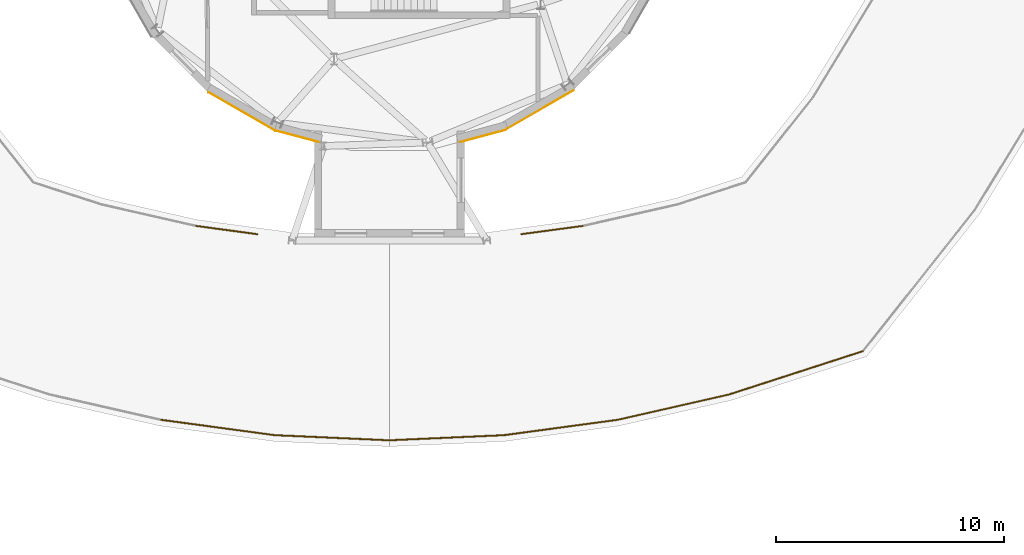
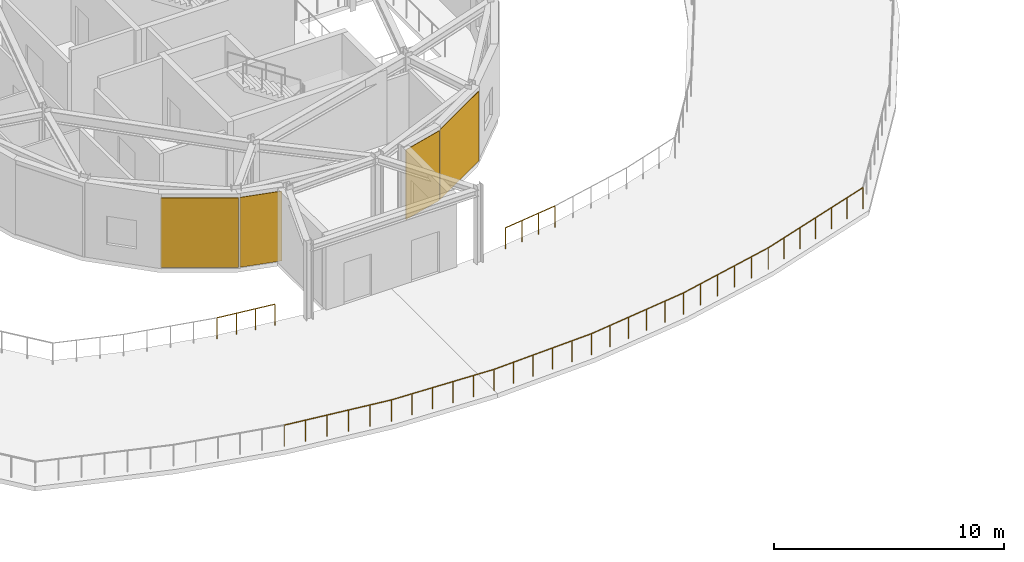
# One storey, part 48 of 59: 8 railings, 4 coverings.
"""IFC4 building model written with IfcOpenShell, lengths in metres."""

import ifcopenshell
import ifcopenshell.guid

model = None  # the IFC model being written
_history = None  # IfcOwnerHistory: only IFC2X3 demands one
_inside = {}  # id of a spatial element -> (the spatial element, [elements in it])
_under = {}  # id of a project, library or spatial element -> (it, [spatial elements below it])
_declared = {}  # id of a project -> (the project, [libraries it declares])
_typed = {}  # id of a type object -> (the type object, [elements of that type])
_made_of = {}  # id of a material, layer set ... -> (it, [elements and type objects made of it])


def new_model(schema):
    """Start an empty IFC model of exactly this schema.

    Asked for "IFC4X3", IfcOpenShell would pick the latest addendum, in which some entities
    have other attributes; the version numbers below select the first issue.
    IFC2X3 requires an IfcOwnerHistory on every rooted entity: one is made here for all.
    """
    global model, _history
    if schema == "IFC4X3":
        model = ifcopenshell.file(schema_version=(4, 3, 0, 0))
    else:
        model = ifcopenshell.file(schema=schema)
    _inside.clear()
    _under.clear()
    _declared.clear()
    _typed.clear()
    _made_of.clear()
    _history = None
    if model.schema == "IFC2X3":
        org = make("IfcOrganization", Name="unknown")
        user = make(
            "IfcPersonAndOrganization",
            ThePerson=make("IfcPerson", FamilyName="unknown"),
            TheOrganization=org,
        )
        app = make(
            "IfcApplication",
            ApplicationDeveloper=org,
            Version="unknown",
            ApplicationFullName="unknown",
            ApplicationIdentifier="unknown",
        )
        _history = make(
            "IfcOwnerHistory",
            OwningUser=user,
            OwningApplication=app,
            ChangeAction="ADDED",
            CreationDate=0,
        )
    return model


def make(cls, **values):
    """One entity of the class cls with the attributes given. An attribute that is None is left unset."""
    return model.create_entity(
        cls, **{name: value for name, value in values.items() if value is not None}
    )


def rooted(cls, **values):
    """An entity with a GlobalId (a new one), such as an element, a storey or a relation."""
    return make(cls, GlobalId=ifcopenshell.guid.new(), OwnerHistory=_history, **values)


def si_unit(unit_type, name, prefix=None):
    """IfcSIUnit, for example si_unit("LENGTHUNIT", "METRE", prefix="MILLI")."""
    return make("IfcSIUnit", UnitType=unit_type, Prefix=prefix, Name=name)


def assignment(units):
    """IfcUnitAssignment: the units of a project."""
    return None if units is None else make("IfcUnitAssignment", Units=units)


def point(xyz):
    """IfcCartesianPoint."""
    return None if xyz is None else make("IfcCartesianPoint", Coordinates=xyz)


def direction(xyz):
    """IfcDirection."""
    return None if xyz is None else make("IfcDirection", DirectionRatios=xyz)


def frame(location, z_axis=None, x_axis=None):
    """IfcAxis2Placement3D, a coordinate frame: its origin and axes. An axis left out is left unset."""
    return make(
        "IfcAxis2Placement3D",
        Location=point(location),
        Axis=direction(z_axis),
        RefDirection=direction(x_axis),
    )


def frame_2d(location, x_axis=None):
    """IfcAxis2Placement2D, a coordinate frame in the plane: its origin and x axis."""
    return make(
        "IfcAxis2Placement2D", Location=point(location), RefDirection=direction(x_axis)
    )


def origin():
    """The frame at (0, 0, 0) with its axes left unset."""
    return frame((0.0, 0.0, 0.0))


def origin_2d():
    """The frame at (0, 0) in the plane with its x axis left unset."""
    return frame_2d((0.0, 0.0))


def place(relative_to, where):
    """IfcLocalPlacement: puts the frame where relative to a parent placement (None: the world)."""
    return make(
        "IfcLocalPlacement", PlacementRelTo=relative_to, RelativePlacement=where
    )


def context(
    kind, dimensions, precision=None, world=None, true_north=None, identifier=None
):
    """IfcGeometricRepresentationContext, for example the 3D "Model" context."""
    return make(
        "IfcGeometricRepresentationContext",
        ContextIdentifier=identifier,
        ContextType=kind,
        CoordinateSpaceDimension=dimensions,
        Precision=precision,
        WorldCoordinateSystem=world,
        TrueNorth=true_north,
    )


def subcontext(parent, identifier, kind, view, scale=None):
    """IfcGeometricRepresentationSubContext, for example "Body" below "Model"."""
    return make(
        "IfcGeometricRepresentationSubContext",
        ContextIdentifier=identifier,
        ContextType=kind,
        ParentContext=parent,
        TargetScale=scale,
        TargetView=view,
    )


def project(units=None, contexts=None):
    """IfcProject with its units and contexts."""
    return rooted(
        "IfcProject",
        Name="project",
        RepresentationContexts=contexts,
        UnitsInContext=assignment(units),
    )


def spatial(cls, under=None, at=None, **own):
    """A site, building, storey or space (cls), placed at a placement, below another one or the project."""
    s = rooted(cls, ObjectPlacement=at, **own)
    if under is not None:
        _under.setdefault(under.id(), (under, []))[1].append(s)
    return s


def profile(cls, at=None, kind="AREA", **sizes):
    """A parametric profile (cls). Its sizes go by their IFC names, for example OverallWidth=200.0."""
    return make(cls, ProfileType=kind, Position=at, **sizes)


def rectangle(**sizes):
    """IfcRectangleProfileDef."""
    return profile("IfcRectangleProfileDef", **sizes)


def circle(**sizes):
    """IfcCircleProfileDef."""
    return profile("IfcCircleProfileDef", **sizes)


def extrude(swept, where, along, depth):
    """IfcExtrudedAreaSolid: the profile swept, set in the frame where, extruded along a direction by depth."""
    return make(
        "IfcExtrudedAreaSolid",
        SweptArea=swept,
        Position=where,
        ExtrudedDirection=direction(along),
        Depth=depth,
    )


def shape(context_of_items, identifier, shape_type, items):
    """IfcShapeRepresentation: the items that make up one representation, for example the "Body"."""
    return make(
        "IfcShapeRepresentation",
        ContextOfItems=context_of_items,
        RepresentationIdentifier=identifier,
        RepresentationType=shape_type,
        Items=items,
    )


def material(Name=None, Category=None):
    """IfcMaterial."""
    return make("IfcMaterial", Name=Name, Category=Category)


def layer(
    of_material, thickness, ventilated=None, Name=None, Category=None, Priority=None
):
    """IfcMaterialLayer: one layer of a wall or slab, of a material (None: an air gap)."""
    return make(
        "IfcMaterialLayer",
        Material=of_material,
        LayerThickness=thickness,
        IsVentilated=ventilated,
        Name=Name,
        Category=Category,
        Priority=Priority,
    )


def layer_set(layers, Name=None):
    """IfcMaterialLayerSet."""
    return make("IfcMaterialLayerSet", MaterialLayers=layers, LayerSetName=Name)


def made_of(thing, what):
    """Note that an element or type object is made of a material, layer set ...; save() writes the relation."""
    if what is not None:
        _made_of.setdefault(what.id(), (what, []))[1].append(thing)
    return thing


def type_object(cls, material=None, **own):
    """A type object (cls), such as IfcWallType, which elements share."""
    return made_of(rooted(cls, **own), material)


def element(
    cls,
    number,
    at=None,
    inside=None,
    cuts=None,
    type_object=None,
    material=None,
    context=None,
    identifier="Body",
    shape_type=None,
    held_by="IfcProductDefinitionShape",
    body=None,
    shapes=None,
    **own,
):
    """One element of the class cls, such as IfcWall. Its Tag is "e" and its number.

    at: its placement. inside: the storey or other place that contains it. cuts: it is an
    opening in that element (IfcRelVoidsElement). A single representation is given by context,
    identifier, shape_type and body (its items); several are given by shapes. held_by: the class
    of the entity that holds the representations. save() writes the other relations.
    """
    e = rooted(cls, Tag="e%d" % number, ObjectPlacement=at, **own)
    if body is not None:
        shapes = [shape(context, identifier, shape_type, body)]
    if shapes is not None:
        e.Representation = make(held_by, Representations=shapes)
    if inside is not None:
        _inside.setdefault(inside.id(), (inside, []))[1].append(e)
    if cuts is not None:
        rooted(
            "IfcRelVoidsElement", RelatingBuildingElement=cuts, RelatedOpeningElement=e
        )
    if type_object is not None:
        _typed.setdefault(type_object.id(), (type_object, []))[1].append(e)
    return made_of(e, material)


def aggregate(whole, parts):
    """IfcRelAggregates: a whole, such as a stair, and the parts it consists of."""
    return rooted("IfcRelAggregates", RelatingObject=whole, RelatedObjects=parts)


def save(model, path):
    """Write the relations noted so far, then the file.

    IfcRelAggregates (storeys below a building ...), IfcRelContainedInSpatialStructure (elements
    in a storey), IfcRelDefinesByType, IfcRelAssociatesMaterial and IfcRelDeclares: one each for
    every whole, place, type object, material and project.
    """
    for whole, parts in _under.values():
        aggregate(whole, parts)
    for where, things in _inside.values():
        rooted(
            "IfcRelContainedInSpatialStructure",
            RelatedElements=things,
            RelatingStructure=where,
        )
    for kind, things in _typed.values():
        rooted("IfcRelDefinesByType", RelatedObjects=things, RelatingType=kind)
    for what, things in _made_of.values():
        rooted("IfcRelAssociatesMaterial", RelatedObjects=things, RelatingMaterial=what)
    for by, libraries in _declared.values():
        rooted("IfcRelDeclares", RelatingContext=by, RelatedDefinitions=libraries)
    model.write(path)


model = new_model("IFC4")

# Units and contexts
model_context = context("Model", 3, precision=1e-05, world=origin(), true_north=direction((0.0, 1.0)))
body_context = subcontext(model_context, "Body", "Model", "MODEL_VIEW")
ifc_project = project(units=[si_unit("LENGTHUNIT", "METRE"), si_unit("AREAUNIT", "SQUARE_METRE"), si_unit("VOLUMEUNIT", "CUBIC_METRE"), si_unit("PLANEANGLEUNIT", "RADIAN"), si_unit("MASSUNIT", "GRAM", prefix="KILO")], contexts=[model_context])

# Site, building, storey
site_placement = place(None, origin())
site = spatial("IfcSite", under=ifc_project, at=site_placement, CompositionType="ELEMENT")
building_placement = place(site_placement, origin())
building = spatial("IfcBuilding", under=site, at=building_placement, Name="Varnklinge Art Gallery", CompositionType="ELEMENT")
storey_placement = place(building_placement, frame((0.0, 0.0, 9.52001953125)))
storey = spatial("IfcBuildingStorey", under=building, at=storey_placement, Name="L02", CompositionType="ELEMENT", Elevation=9.52001953125)

# Coverings
ifc_material_1 = material(Name="Pre-weathered Zinc", Category="metal")
ifc_layer = layer(ifc_material_1, 0.02490234375)
ifc_layer_set = layer_set([ifc_layer], Name="Pre-weathered Zinc")
covering_type = type_object("IfcCoveringType", Name="CLD-ZNC", PredefinedType="CLADDING", material=ifc_layer_set)
covering_1_placement = place(storey_placement, frame((82.123291015625, 27.197998046875, 0.0458984375), z_axis=(0.0, 0.0, 1.0), x_axis=(-0.866025403784, -0.5, 0.0)))
element("IfcCovering", 1, at=covering_1_placement, inside=storey, type_object=covering_type, Name="L02 Brushed Zinc Drum Cladding EW-V4D-L02-05", PredefinedType="CLADDING", context=body_context, shape_type="SweptSolid", body=[
    extrude(rectangle(XDim=3.39111328125, YDim=0.02490234375, at=origin_2d()), origin(), (0.0, 0.0, 1.0), 3.7099609375),
])
covering_2_placement = place(storey_placement, frame((79.6123046875, 26.040283203125, 0.0458984375), z_axis=(0.0, 0.0, 1.0), x_axis=(-0.965925826289, -0.258819045103, 0.0)))
element("IfcCovering", 2, at=covering_2_placement, inside=storey, type_object=covering_type, Name="L02 Brushed Zinc Drum Cladding EW-V4D-L02-06", PredefinedType="CLADDING", context=body_context, shape_type="SweptSolid", body=[
    extrude(rectangle(XDim=2.066650390625, YDim=0.02490234375, at=origin_2d()), origin(), (0.0, 0.0, 1.0), 3.7099609375),
])
covering_3_placement = place(storey_placement, frame((71.469970703125, 26.018310546875, 0.0458984375), z_axis=(0.0, 0.0, 1.0), x_axis=(-0.965925826289, 0.258819045103, 0.0)))
element("IfcCovering", 3, at=covering_3_placement, inside=storey, type_object=covering_type, Name="L02 Brushed Zinc Drum Cladding EW-V4D-L02-07", PredefinedType="CLADDING", context=body_context, shape_type="SweptSolid", body=[
    extrude(rectangle(XDim=1.896484375, YDim=0.02490234375, at=origin_2d()), origin(), (0.0, 0.0, 1.0), 3.7099609375),
])
covering_4_placement = place(storey_placement, frame((69.023681640625, 27.11279296875, 0.0458984375), z_axis=(0.0, 0.0, 1.0), x_axis=(-0.866025403784, 0.5, 0.0)))
element("IfcCovering", 4, at=covering_4_placement, inside=storey, type_object=covering_type, Name="L02 Brushed Zinc Drum Cladding EW-V4D-L02-08", PredefinedType="CLADDING", context=body_context, shape_type="SweptSolid", body=[
    extrude(rectangle(XDim=3.39111328125, YDim=0.02490234375, at=origin_2d()), origin(), (0.0, 0.0, 1.0), 3.7099609375),
])

# Railings
ifc_material_2 = material(Name="Steel S355", Category="steel")
railing_type = type_object("IfcRailingType", Name="GR-EXT", PredefinedType="GUARDRAIL", material=ifc_material_2)
railing_1_placement = place(storey_placement, frame((65.466796875, 13.572509765625, 0.0)))
element("IfcRailing", 5, at=railing_1_placement, inside=storey, type_object=railing_type, Name="L02 Roof Sculpture Garden Guardrail O35.1", PredefinedType="GUARDRAIL", context=body_context, shape_type="SweptSolid", body=[
    extrude(circle(Radius=0.02392578125, at=origin_2d()), frame((0.0, 0.0, 1.1259765625), z_axis=(0.990989477509, -0.133939745653, 0.0), x_axis=(0.133939745653, 0.990989477509, 0.0)), (0.0, 0.0, 1.0), 5.041748046875),
    extrude(circle(Radius=0.02099609375, at=origin_2d()), origin(), (0.0, 0.0, 1.0), 1.101806640625),
    extrude(circle(Radius=0.02099609375, at=origin_2d()), frame((0.999267578125, -0.135009765625, 0.0)), (0.0, 0.0, 1.0), 1.101806640625),
    extrude(circle(Radius=0.02099609375, at=origin_2d()), frame((1.99853515625, -0.27001953125, 0.0)), (0.0, 0.0, 1.0), 1.101806640625),
    extrude(circle(Radius=0.02099609375, at=origin_2d()), frame((2.997802734375, -0.4052734375, 0.0)), (0.0, 0.0, 1.0), 1.101806640625),
    extrude(circle(Radius=0.02099609375, at=origin_2d()), frame((3.9970703125, -0.540283203125, 0.0)), (0.0, 0.0, 1.0), 1.101806640625),
    extrude(circle(Radius=0.02099609375, at=origin_2d()), frame((4.996337890625, -0.67529296875, 0.0)), (0.0, 0.0, 1.0), 1.101806640625),
])
railing_2_placement = place(storey_placement, frame((67.0087890625, 22.0908203125, 0.0)))
element("IfcRailing", 6, at=railing_2_placement, inside=storey, type_object=railing_type, Name="L02 Roof Sculpture Garden Guardrail I35.1", PredefinedType="GUARDRAIL", context=body_context, shape_type="SweptSolid", body=[
    extrude(circle(Radius=0.02392578125, at=origin_2d()), frame((0.0, 0.0, 1.1259765625), z_axis=(0.990987592866, -0.133953688957, 0.0), x_axis=(0.133953688957, 0.990987592866, 0.0)), (0.0, 0.0, 1.0), 2.715576171875),
    extrude(circle(Radius=0.02099609375, at=origin_2d()), origin(), (0.0, 0.0, 1.0), 1.101806640625),
    extrude(circle(Radius=0.02099609375, at=origin_2d()), frame((0.89697265625, -0.121337890625, 0.0)), (0.0, 0.0, 1.0), 1.101806640625),
    extrude(circle(Radius=0.02099609375, at=origin_2d()), frame((1.794189453125, -0.242431640625, 0.0)), (0.0, 0.0, 1.0), 1.101806640625),
    extrude(circle(Radius=0.02099609375, at=origin_2d()), frame((2.691162109375, -0.36376953125, 0.0)), (0.0, 0.0, 1.0), 1.101806640625),
])
railing_3_placement = place(storey_placement, frame((70.463134765625, 12.897216796875, 0.0)))
element("IfcRailing", 7, at=railing_3_placement, inside=storey, type_object=railing_type, Name="L02 Roof Sculpture Garden Guardrail O36.1", PredefinedType="GUARDRAIL", context=body_context, shape_type="SweptSolid", body=[
    extrude(circle(Radius=0.02392578125, at=origin_2d()), frame((0.0, 0.0, 1.1259765625), z_axis=(0.998998569916, -0.044742120043, 0.0), x_axis=(0.044742120043, 0.998998569916, 0.0)), (0.0, 0.0, 1.0), 5.0419921875),
    extrude(circle(Radius=0.02099609375, at=origin_2d()), origin(), (0.0, 0.0, 1.0), 1.101806640625),
    extrude(circle(Radius=0.02099609375, at=origin_2d()), frame((1.00732421875, -0.045166015625, 0.0)), (0.0, 0.0, 1.0), 1.101806640625),
    extrude(circle(Radius=0.02099609375, at=origin_2d()), frame((2.0146484375, -0.09033203125, 0.0)), (0.0, 0.0, 1.0), 1.101806640625),
    extrude(circle(Radius=0.02099609375, at=origin_2d()), frame((3.022216796875, -0.13525390625, 0.0)), (0.0, 0.0, 1.0), 1.101806640625),
    extrude(circle(Radius=0.02099609375, at=origin_2d()), frame((4.029541015625, -0.180419921875, 0.0)), (0.0, 0.0, 1.0), 1.101806640625),
    extrude(circle(Radius=0.02099609375, at=origin_2d()), frame((5.036865234375, -0.2255859375, 0.0)), (0.0, 0.0, 1.0), 1.101806640625),
])
railing_4_placement = place(storey_placement, frame((75.5, 12.671630859375, 0.0)))
element("IfcRailing", 8, at=railing_4_placement, inside=storey, type_object=railing_type, Name="L02 Roof Sculpture Garden Guardrail O37.1", PredefinedType="GUARDRAIL", context=body_context, shape_type="SweptSolid", body=[
    extrude(circle(Radius=0.02392578125, at=origin_2d()), frame((0.0, 0.0, 1.1259765625), z_axis=(0.998998569916, 0.044742120043, 0.0), x_axis=(-0.044742120043, 0.998998569916, 0.0)), (0.0, 0.0, 1.0), 5.0419921875),
    extrude(circle(Radius=0.02099609375, at=origin_2d()), origin(), (0.0, 0.0, 1.0), 1.101806640625),
    extrude(circle(Radius=0.02099609375, at=origin_2d()), frame((1.00732421875, 0.045166015625, 0.0)), (0.0, 0.0, 1.0), 1.101806640625),
    extrude(circle(Radius=0.02099609375, at=origin_2d()), frame((2.0146484375, 0.09033203125, 0.0)), (0.0, 0.0, 1.0), 1.101806640625),
    extrude(circle(Radius=0.02099609375, at=origin_2d()), frame((3.022216796875, 0.13525390625, 0.0)), (0.0, 0.0, 1.0), 1.101806640625),
    extrude(circle(Radius=0.02099609375, at=origin_2d()), frame((4.029541015625, 0.180419921875, 0.0)), (0.0, 0.0, 1.0), 1.101806640625),
    extrude(circle(Radius=0.02099609375, at=origin_2d()), frame((5.036865234375, 0.2255859375, 0.0)), (0.0, 0.0, 1.0), 1.101806640625),
])
railing_5_placement = place(storey_placement, frame((80.536865234375, 12.897216796875, 0.0)))
element("IfcRailing", 9, at=railing_5_placement, inside=storey, type_object=railing_type, Name="L02 Roof Sculpture Garden Guardrail O38.1", PredefinedType="GUARDRAIL", context=body_context, shape_type="SweptSolid", body=[
    extrude(circle(Radius=0.02392578125, at=origin_2d()), frame((0.0, 0.0, 1.1259765625), z_axis=(0.990989477509, 0.133939745653, 0.0), x_axis=(-0.133939745653, 0.990989477509, 0.0)), (0.0, 0.0, 1.0), 5.041748046875),
    extrude(circle(Radius=0.02099609375, at=origin_2d()), origin(), (0.0, 0.0, 1.0), 1.101806640625),
    extrude(circle(Radius=0.02099609375, at=origin_2d()), frame((0.999267578125, 0.135009765625, 0.0)), (0.0, 0.0, 1.0), 1.101806640625),
    extrude(circle(Radius=0.02099609375, at=origin_2d()), frame((1.99853515625, 0.27001953125, 0.0)), (0.0, 0.0, 1.0), 1.101806640625),
    extrude(circle(Radius=0.02099609375, at=origin_2d()), frame((2.997802734375, 0.4052734375, 0.0)), (0.0, 0.0, 1.0), 1.101806640625),
    extrude(circle(Radius=0.02099609375, at=origin_2d()), frame((3.9970703125, 0.540283203125, 0.0)), (0.0, 0.0, 1.0), 1.101806640625),
    extrude(circle(Radius=0.02099609375, at=origin_2d()), frame((4.996337890625, 0.67529296875, 0.0)), (0.0, 0.0, 1.0), 1.101806640625),
])
railing_6_placement = place(storey_placement, frame((81.300048828125, 21.72705078125, 0.0)))
element("IfcRailing", 10, at=railing_6_placement, inside=storey, type_object=railing_type, Name="L02 Roof Sculpture Garden Guardrail I38.1", PredefinedType="GUARDRAIL", context=body_context, shape_type="SweptSolid", body=[
    extrude(circle(Radius=0.02392578125, at=origin_2d()), frame((0.0, 0.0, 1.1259765625), z_axis=(0.990987592866, 0.133953688957, 0.0), x_axis=(-0.133953688957, 0.990987592866, 0.0)), (0.0, 0.0, 1.0), 2.715576171875),
    extrude(circle(Radius=0.02099609375, at=origin_2d()), origin(), (0.0, 0.0, 1.0), 1.101806640625),
    extrude(circle(Radius=0.02099609375, at=origin_2d()), frame((0.89697265625, 0.121337890625, 0.0)), (0.0, 0.0, 1.0), 1.101806640625),
    extrude(circle(Radius=0.02099609375, at=origin_2d()), frame((1.794189453125, 0.242431640625, 0.0)), (0.0, 0.0, 1.0), 1.101806640625),
    extrude(circle(Radius=0.02099609375, at=origin_2d()), frame((2.691162109375, 0.36376953125, 0.0)), (0.0, 0.0, 1.0), 1.101806640625),
])
railing_7_placement = place(storey_placement, frame((85.533203125, 13.572509765625, 0.0)))
element("IfcRailing", 11, at=railing_7_placement, inside=storey, type_object=railing_type, Name="L02 Roof Sculpture Garden Guardrail O39.1", PredefinedType="GUARDRAIL", context=body_context, shape_type="SweptSolid", body=[
    extrude(circle(Radius=0.02392578125, at=origin_2d()), frame((0.0, 0.0, 1.1259765625), z_axis=(0.975052879575, 0.221972705601, 0.0), x_axis=(-0.221972705601, 0.975052879575, 0.0)), (0.0, 0.0, 1.0), 5.041748046875),
    extrude(circle(Radius=0.02099609375, at=origin_2d()), origin(), (0.0, 0.0, 1.0), 1.101806640625),
    extrude(circle(Radius=0.02099609375, at=origin_2d()), frame((0.983154296875, 0.223876953125, 0.0)), (0.0, 0.0, 1.0), 1.101806640625),
    extrude(circle(Radius=0.02099609375, at=origin_2d()), frame((1.96630859375, 0.44775390625, 0.0)), (0.0, 0.0, 1.0), 1.101806640625),
    extrude(circle(Radius=0.02099609375, at=origin_2d()), frame((2.94970703125, 0.67138671875, 0.0)), (0.0, 0.0, 1.0), 1.101806640625),
    extrude(circle(Radius=0.02099609375, at=origin_2d()), frame((3.932861328125, 0.895263671875, 0.0)), (0.0, 0.0, 1.0), 1.101806640625),
    extrude(circle(Radius=0.02099609375, at=origin_2d()), frame((4.916015625, 1.119140625, 0.0)), (0.0, 0.0, 1.0), 1.101806640625),
])
railing_8_placement = place(storey_placement, frame((90.44921875, 14.691650390625, 0.0)))
element("IfcRailing", 12, at=railing_8_placement, inside=storey, type_object=railing_type, Name="L02 Roof Sculpture Garden Guardrail O40.1", PredefinedType="GUARDRAIL", context=body_context, shape_type="SweptSolid", body=[
    extrude(circle(Radius=0.02392578125, at=origin_2d()), frame((0.0, 0.0, 1.1259765625), z_axis=(0.951298900476, 0.308270014685, 0.0), x_axis=(-0.308270014685, 0.951298900476, 0.0)), (0.0, 0.0, 1.0), 6.15673828125),
    extrude(circle(Radius=0.02099609375, at=origin_2d()), origin(), (0.0, 0.0, 1.0), 1.101806640625),
    extrude(circle(Radius=0.02099609375, at=origin_2d()), frame((0.97607421875, 0.31640625, 0.0)), (0.0, 0.0, 1.0), 1.101806640625),
    extrude(circle(Radius=0.02099609375, at=origin_2d()), frame((1.952392578125, 0.632568359375, 0.0)), (0.0, 0.0, 1.0), 1.101806640625),
    extrude(circle(Radius=0.02099609375, at=origin_2d()), frame((2.928466796875, 0.948974609375, 0.0)), (0.0, 0.0, 1.0), 1.101806640625),
    extrude(circle(Radius=0.02099609375, at=origin_2d()), frame((3.904541015625, 1.265380859375, 0.0)), (0.0, 0.0, 1.0), 1.101806640625),
    extrude(circle(Radius=0.02099609375, at=origin_2d()), frame((4.880859375, 1.58154296875, 0.0)), (0.0, 0.0, 1.0), 1.101806640625),
    extrude(circle(Radius=0.02099609375, at=origin_2d()), frame((5.85693359375, 1.89794921875, 0.0)), (0.0, 0.0, 1.0), 1.101806640625),
])

save(model, "model.ifc")
